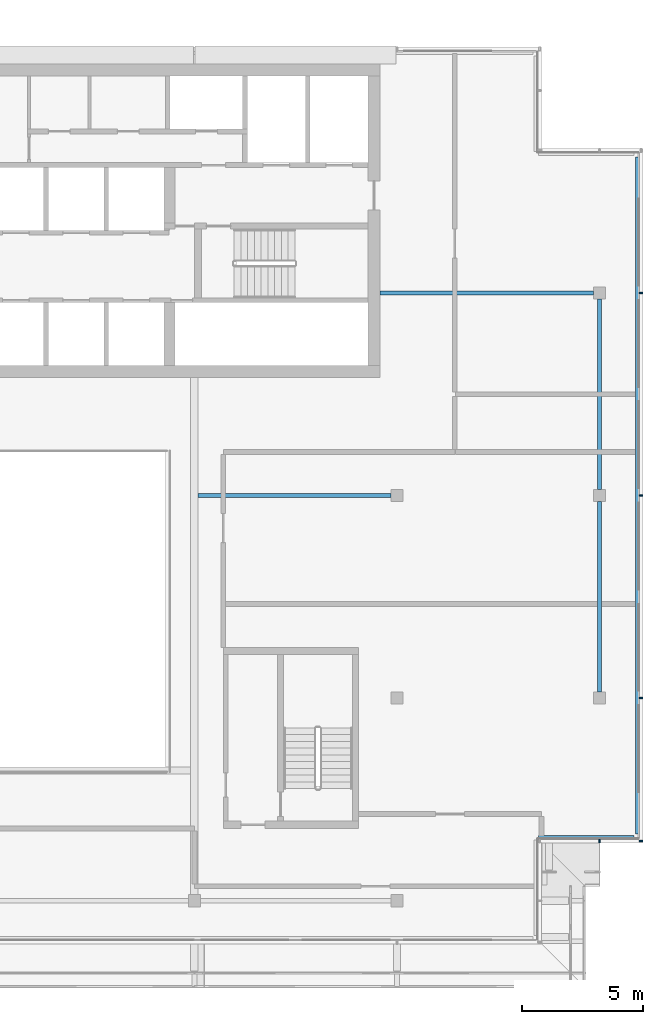
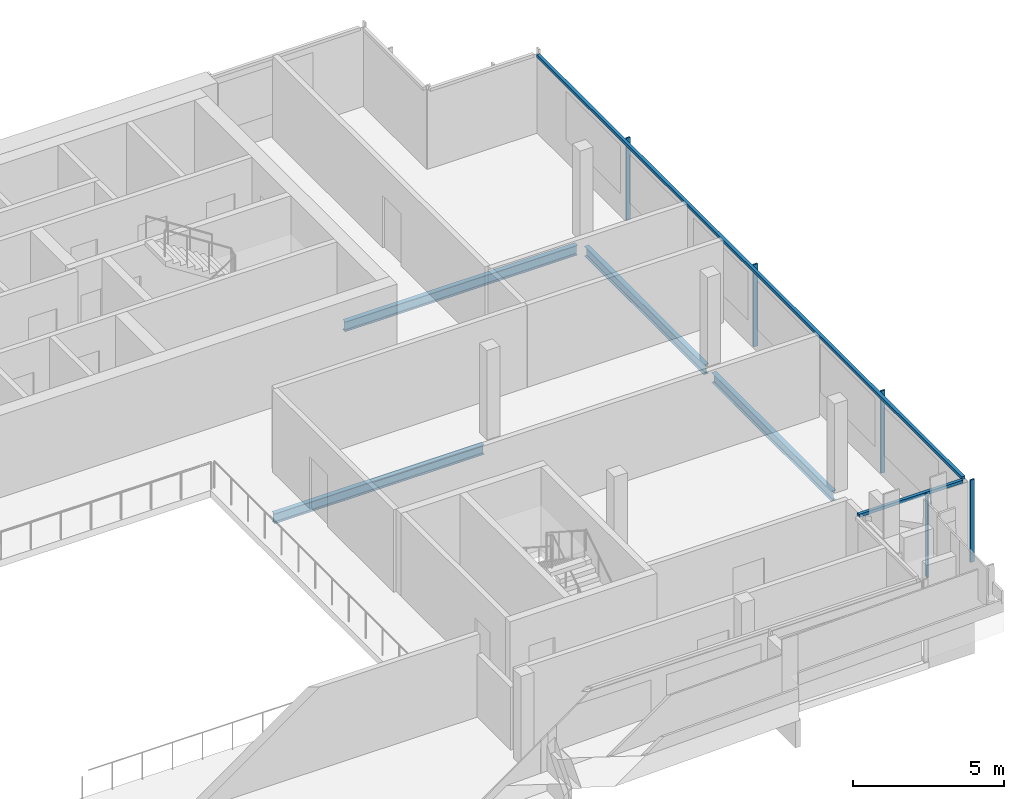
# One storey, part 6 of 21: 7 members, 4 beams, 2 elements without a shape of their own.
"""IFC4 building model written with IfcOpenShell, lengths in metres."""

from ifc_helpers import new_model, si_unit, direction, frame, origin, origin_2d, place, context, subcontext, project, spatial, rectangle, i_section, extrude, material, material_profile, profile_set, type_object, element, aggregate, save


model = new_model("IFC4")

# Units and contexts
model_context = context("Model", 3, precision=1e-05, world=origin(), true_north=direction((0.0, 1.0)))
body_context = subcontext(model_context, "Body", "Model", "MODEL_VIEW")
ifc_project = project(units=[si_unit("LENGTHUNIT", "METRE"), si_unit("AREAUNIT", "SQUARE_METRE"), si_unit("VOLUMEUNIT", "CUBIC_METRE"), si_unit("PLANEANGLEUNIT", "RADIAN"), si_unit("MASSUNIT", "GRAM", prefix="KILO")], contexts=[model_context])

# Site, building, storey
site_placement = place(None, origin())
site = spatial("IfcSite", under=ifc_project, at=site_placement, CompositionType="ELEMENT")
building_placement = place(site_placement, origin())
building = spatial("IfcBuilding", under=site, at=building_placement, Name="Saffron Gate Tower", CompositionType="ELEMENT")
storey_placement = place(building_placement, frame((0.0, 0.0, 299.550048828125)))
storey = spatial("IfcBuildingStorey", under=building, at=storey_placement, Name="L73", CompositionType="ELEMENT", Elevation=299.550048828125)

# Beams
ifc_material_1 = material(Name="Structural steel S355", Category="steel")
ifc_material_profile_1 = material_profile(ifc_material_1, i_section(OverallWidth=0.179931640625, OverallDepth=0.39990234375, WebThickness=0.008544921875, FlangeThickness=0.013427734375, FilletRadius=0.02099609375, at=origin_2d()))
ifc_profile_set_1 = profile_set([ifc_material_profile_1], Name="Structural steel S355")
beam_type_1 = type_object("IfcBeamType", Name="B4 IPE 400", PredefinedType="BEAM", material=ifc_profile_set_1)
beam_1_placement = place(storey_placement, frame((108.35009765625, 57.0, -0.47998046875), z_axis=(-1.0, 0.0, 0.0), x_axis=(0.0, -1.0, 0.0)))
element("IfcBeam", 1, at=beam_1_placement, inside=storey, type_object=beam_type_1, Name="B4 CORE TIE BEAM", PredefinedType="BEAM", context=body_context, shape_type="SweptSolid", body=[
    extrude(i_section(OverallWidth=0.179931640625, OverallDepth=0.39990234375, WebThickness=0.008544921875, FlangeThickness=0.013427734375, FilletRadius=0.02099609375, at=origin_2d()), origin(), (0.0, 0.0, 1.0), 8.0),
])
beam_2_placement = place(storey_placement, frame((116.75, 65.39990234375, -0.47998046875), z_axis=(-1.0, 0.0, 0.0), x_axis=(0.0, -1.0, 0.0)))
element("IfcBeam", 2, at=beam_2_placement, inside=storey, type_object=beam_type_1, Name="B4 CORE TIE BEAM", PredefinedType="BEAM", context=body_context, shape_type="SweptSolid", body=[
    extrude(i_section(OverallWidth=0.179931640625, OverallDepth=0.39990234375, WebThickness=0.008544921875, FlangeThickness=0.013427734375, FilletRadius=0.02099609375, at=origin_2d()), origin(), (0.0, 0.0, 1.0), 8.85009765625),
])
ifc_material_profile_2 = material_profile(ifc_material_1, i_section(OverallWidth=0.179931640625, OverallDepth=0.39990234375, WebThickness=0.008544921875, FlangeThickness=0.013427734375, FilletRadius=0.02099609375, at=origin_2d()))
ifc_profile_set_2 = profile_set([ifc_material_profile_2], Name="Structural steel S355")
beam_type_2 = type_object("IfcBeamType", Name="B5 IPE 400", PredefinedType="SPANDREL", material=ifc_profile_set_2)
for number, where, z_axis, x_axis, name in (
    (3, (117.0, 48.85009765625, -0.47998046875), (0.0, 1.0, 0.0), (-1.0, 0.0, 0.0), "B5 SPANDREL BEAM"),
    (4, (117.0, 57.25, -0.47998046875), (0.0, 1.0, 0.0), (-1.0, 0.0, 0.0), "B5 SPANDREL BEAM"),
):
    element("IfcBeam", number, at=place(storey_placement, frame(where, z_axis=z_axis, x_axis=x_axis)), inside=storey, type_object=beam_type_2, Name=name, PredefinedType="SPANDREL", context=body_context, shape_type="SweptSolid", body=[
        extrude(i_section(OverallWidth=0.179931640625, OverallDepth=0.39990234375, WebThickness=0.008544921875, FlangeThickness=0.013427734375, FilletRadius=0.02099609375, at=origin_2d()), origin(), (0.0, 0.0, 1.0), 7.89990234375),
    ])

# Curtain wall, members
ifc_material_2 = material(Name="Aluminium, bronze anodised", Category="aluminium")
curtain_wall_type_1 = type_object("IfcCurtainWallType", Name="CWS2 curtain wall side facades", PredefinedType="NOTDEFINED", material=ifc_material_2)
curtain_wall_1_placement = place(storey_placement, origin())
curtain_wall_1 = element("IfcCurtainWall", 5, at=curtain_wall_1_placement, inside=storey, type_object=curtain_wall_type_1, Name="CWS2 run 4", PredefinedType="NOTDEFINED")
ifc_material_profile_3 = material_profile(ifc_material_2, rectangle(XDim=0.1201171875, YDim=0.1201171875, at=origin_2d()))
ifc_profile_set_3 = profile_set([ifc_material_profile_3], Name="Aluminium, bronze anodised")
member_type_1 = type_object("IfcMemberType", Name="CWS2 head transom", PredefinedType="USERDEFINED", material=ifc_profile_set_3)
member_1_placement = place(storey_placement, frame((118.552001953125, 42.968017578125, 3.260009765625), z_axis=(0.0, 1.0, 0.0), x_axis=(-1.0, 0.0, 0.0)))
member_1 = element("IfcMember", 6, at=member_1_placement, type_object=member_type_1, Name="CWS2 head transom", ObjectType="TRANSOM", PredefinedType="USERDEFINED", context=body_context, shape_type="SweptSolid", body=[
    extrude(rectangle(XDim=0.1201171875, YDim=0.1201171875, at=origin_2d()), origin(), (0.0, 0.0, 1.0), 28.06396484375),
])
ifc_material_profile_4 = material_profile(ifc_material_2, rectangle(XDim=0.159912109375, YDim=0.06005859375, at=origin_2d()))
ifc_profile_set_4 = profile_set([ifc_material_profile_4], Name="Aluminium, bronze anodised")
member_type_2 = type_object("IfcMemberType", Name="CWS2 mullion 60x160", PredefinedType="MULLION", material=ifc_profile_set_4)
member_2_placement = place(storey_placement, frame((118.719970703125, 42.679931640625, 0.0), z_axis=(0.0, 0.0, 1.0), x_axis=(-1.0, 0.0, 0.0)))
member_2 = element("IfcMember", 7, at=member_2_placement, type_object=member_type_2, Name="CWS2 mullion 1", PredefinedType="MULLION", context=body_context, shape_type="SweptSolid", body=[
    extrude(rectangle(XDim=0.159912109375, YDim=0.06005859375, at=origin_2d()), origin(), (0.0, 0.0, 1.0), 3.320068359375),
])
member_3_placement = place(storey_placement, frame((118.719970703125, 48.60009765625, 0.0), z_axis=(0.0, 0.0, 1.0), x_axis=(-1.0, 0.0, 0.0)))
member_3 = element("IfcMember", 8, at=member_3_placement, type_object=member_type_2, Name="CWS2 mullion 2", PredefinedType="MULLION", context=body_context, shape_type="SweptSolid", body=[
    extrude(rectangle(XDim=0.159912109375, YDim=0.06005859375, at=origin_2d()), origin(), (0.0, 0.0, 1.0), 3.320068359375),
])
member_4_placement = place(storey_placement, frame((118.719970703125, 57.0, 0.0), z_axis=(0.0, 0.0, 1.0), x_axis=(-1.0, 0.0, 0.0)))
member_4 = element("IfcMember", 9, at=member_4_placement, type_object=member_type_2, Name="CWS2 mullion 3", PredefinedType="MULLION", context=body_context, shape_type="SweptSolid", body=[
    extrude(rectangle(XDim=0.159912109375, YDim=0.06005859375, at=origin_2d()), origin(), (0.0, 0.0, 1.0), 3.320068359375),
])
member_5_placement = place(storey_placement, frame((118.719970703125, 65.39990234375, 0.0), z_axis=(0.0, 0.0, 1.0), x_axis=(-1.0, 0.0, 0.0)))
member_5 = element("IfcMember", 10, at=member_5_placement, type_object=member_type_2, Name="CWS2 mullion 4", PredefinedType="MULLION", context=body_context, shape_type="SweptSolid", body=[
    extrude(rectangle(XDim=0.159912109375, YDim=0.06005859375, at=origin_2d()), origin(), (0.0, 0.0, 1.0), 3.320068359375),
])
aggregate(curtain_wall_1, [member_2, member_3, member_4, member_5, member_1])

curtain_wall_type_2 = type_object("IfcCurtainWallType", Name="CWS4 curtain wall corner returns", PredefinedType="NOTDEFINED", material=ifc_material_2)
curtain_wall_2_placement = place(storey_placement, origin())
curtain_wall_2 = element("IfcCurtainWall", 11, at=curtain_wall_2_placement, inside=storey, type_object=curtain_wall_type_2, Name="CWS4 run 3", PredefinedType="NOTDEFINED")
ifc_material_profile_5 = material_profile(ifc_material_2, rectangle(XDim=0.1201171875, YDim=0.1201171875, at=origin_2d()))
ifc_profile_set_5 = profile_set([ifc_material_profile_5], Name="Aluminium, bronze anodised")
member_type_3 = type_object("IfcMemberType", Name="CWS4 head transom", PredefinedType="USERDEFINED", material=ifc_profile_set_5)
member_6_placement = place(storey_placement, frame((114.471923828125, 42.847900390625, 3.260009765625), z_axis=(1.0, 0.0, 0.0), x_axis=(0.0, 1.0, 0.0)))
member_6 = element("IfcMember", 12, at=member_6_placement, type_object=member_type_3, Name="CWS4 head transom", ObjectType="TRANSOM", PredefinedType="USERDEFINED", context=body_context, shape_type="SweptSolid", body=[
    extrude(rectangle(XDim=0.1201171875, YDim=0.1201171875, at=origin_2d()), origin(), (0.0, 0.0, 1.0), 3.9599609375),
])
ifc_material_profile_6 = material_profile(ifc_material_2, rectangle(XDim=0.159912109375, YDim=0.06005859375, at=origin_2d()))
ifc_profile_set_6 = profile_set([ifc_material_profile_6], Name="Aluminium, bronze anodised")
member_type_4 = type_object("IfcMemberType", Name="CWS4 mullion 60x160", PredefinedType="MULLION", material=ifc_profile_set_6)
member_7_placement = place(storey_placement, frame((117.0, 42.679931640625, 0.0), z_axis=(0.0, 0.0, 1.0), x_axis=(0.0, 1.0, 0.0)))
member_7 = element("IfcMember", 13, at=member_7_placement, type_object=member_type_4, Name="CWS4 mullion 2", PredefinedType="MULLION", context=body_context, shape_type="SweptSolid", body=[
    extrude(rectangle(XDim=0.159912109375, YDim=0.06005859375, at=origin_2d()), origin(), (0.0, 0.0, 1.0), 3.320068359375),
])
aggregate(curtain_wall_2, [member_7, member_6])

save(model, "model.ifc")
